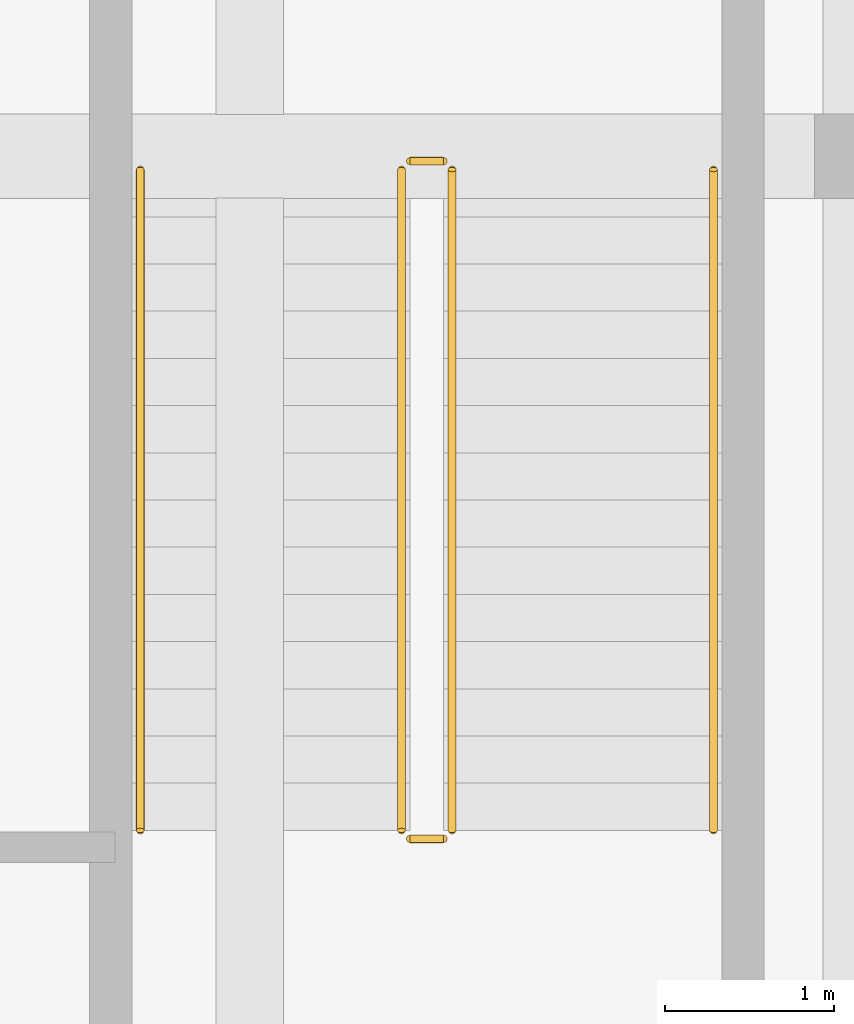
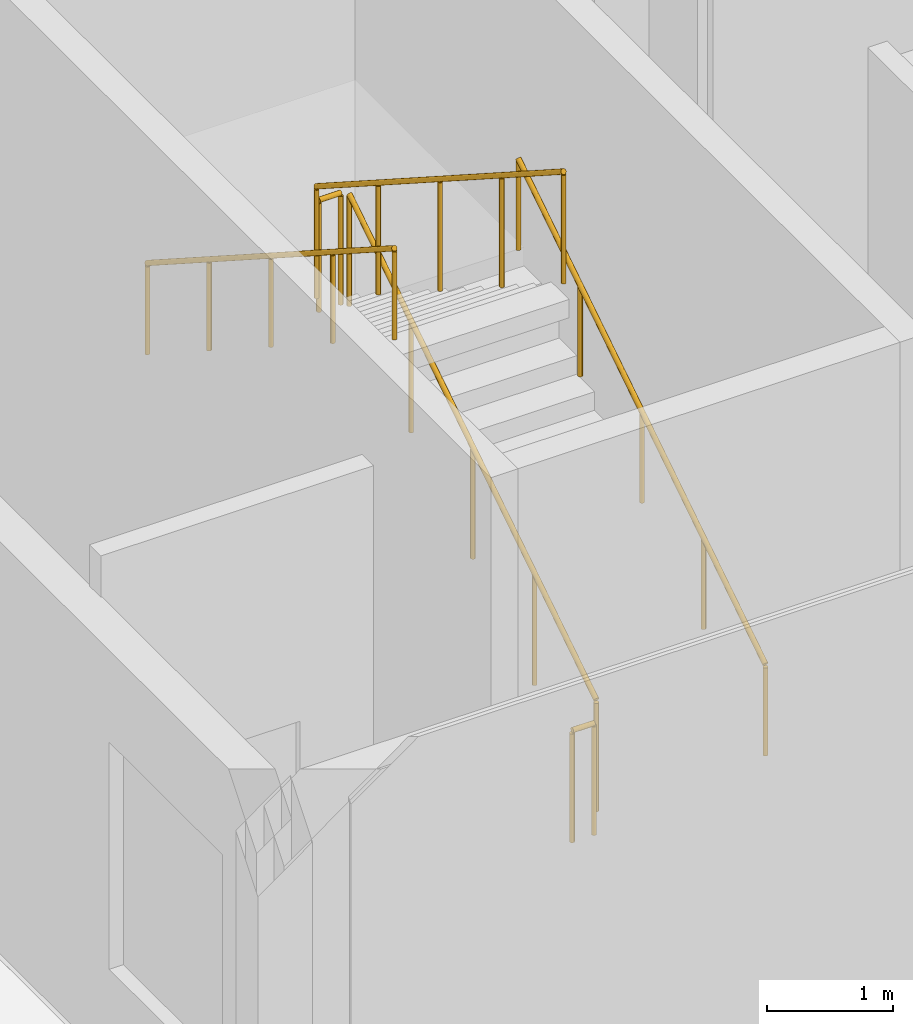
# One storey, part 33 of 41: 6 railings.
"""IFC4 building model written with IfcOpenShell, lengths in metres."""

from ifc_helpers import new_model, si_unit, direction, frame, origin, origin_2d, place, context, subcontext, project, spatial, circle, extrude, material, type_object, element, save


model = new_model("IFC4")

# Units and contexts
model_context = context("Model", 3, precision=1e-05, world=origin(), true_north=direction((0.0, 1.0)))
body_context = subcontext(model_context, "Body", "Model", "MODEL_VIEW")
ifc_project = project(units=[si_unit("LENGTHUNIT", "METRE"), si_unit("AREAUNIT", "SQUARE_METRE"), si_unit("VOLUMEUNIT", "CUBIC_METRE"), si_unit("PLANEANGLEUNIT", "RADIAN"), si_unit("MASSUNIT", "GRAM", prefix="KILO")], contexts=[model_context])

# Site, building, storey
site_placement = place(None, origin())
site = spatial("IfcSite", under=ifc_project, at=site_placement, CompositionType="ELEMENT")
building_placement = place(site_placement, origin())
building = spatial("IfcBuilding", under=site, at=building_placement, Name="Kahlenmark Community Centre", CompositionType="ELEMENT")
storey_placement = place(building_placement, origin())
storey = spatial("IfcBuildingStorey", under=building, at=storey_placement, Name="L00", CompositionType="ELEMENT", Elevation=0.0)

# Railings
ifc_material_1 = material(Name="Brushed stainless steel 1.4301 handrail", Category="steel")
railing_type_1 = type_object("IfcRailingType", Name="RLT-HR-900", PredefinedType="HANDRAIL", material=ifc_material_1)
railing_1_placement = place(storey_placement, frame((57.14990234375, 12.0, 0.179931640625)))
element("IfcRailing", 1, at=railing_1_placement, inside=storey, type_object=railing_type_1, Name="L00 ST-03 stair handrail 1", PredefinedType="HANDRAIL", context=body_context, shape_type="SweptSolid", body=[
    extrude(circle(Radius=0.02392578125, at=origin_2d()), frame((0.0, 0.0, 0.8759765625), z_axis=(0.0, 0.841171666519, 0.540768182723), x_axis=(-1.0, 0.0, 0.0)), (0.0, 0.0, 1.0), 4.66015625),
    extrude(circle(Radius=0.02099609375, at=origin_2d()), origin(), (0.0, 0.0, 1.0), 0.851806640625),
    extrude(circle(Radius=0.02099609375, at=origin_2d()), frame((0.0, 0.97998046875, 0.6298828125)), (0.0, 0.0, 1.0), 0.851806640625),
    extrude(circle(Radius=0.02099609375, at=origin_2d()), frame((0.0, 1.9599609375, 1.260009765625)), (0.0, 0.0, 1.0), 0.851806640625),
    extrude(circle(Radius=0.02099609375, at=origin_2d()), frame((0.0, 2.93994140625, 1.89013671875)), (0.0, 0.0, 1.0), 0.851806640625),
    extrude(circle(Radius=0.02099609375, at=origin_2d()), frame((0.0, 3.919921875, 2.52001953125)), (0.0, 0.0, 1.0), 0.851806640625),
])
railing_2_placement = place(storey_placement, frame((53.75, 15.919921875, 2.8798828125)))
element("IfcRailing", 2, at=railing_2_placement, inside=storey, type_object=railing_type_1, Name="L00 ST-03 stair handrail 2", PredefinedType="HANDRAIL", context=body_context, shape_type="SweptSolid", body=[
    extrude(circle(Radius=0.02392578125, at=origin_2d()), frame((0.0, 0.0, 0.8759765625), z_axis=(0.0, -0.841171666519, 0.540768182723), x_axis=(1.0, 0.0, 0.0)), (0.0, 0.0, 1.0), 4.66015625),
    extrude(circle(Radius=0.02099609375, at=origin_2d()), origin(), (0.0, 0.0, 1.0), 0.851806640625),
    extrude(circle(Radius=0.02099609375, at=origin_2d()), frame((0.0, -0.97998046875, 0.6298828125)), (0.0, 0.0, 1.0), 0.851806640625),
    extrude(circle(Radius=0.02099609375, at=origin_2d()), frame((0.0, -1.9599609375, 1.260009765625)), (0.0, 0.0, 1.0), 0.851806640625),
    extrude(circle(Radius=0.02099609375, at=origin_2d()), frame((0.0, -2.93994140625, 1.89013671875)), (0.0, 0.0, 1.0), 0.851806640625),
    extrude(circle(Radius=0.02099609375, at=origin_2d()), frame((0.0, -3.919921875, 2.52001953125)), (0.0, 0.0, 1.0), 0.851806640625),
])
ifc_material_2 = material(Name="Powder-coated steel stair well guard", Category="steel")
railing_type_2 = type_object("IfcRailingType", Name="RLT-SG-1120", PredefinedType="GUARDRAIL", material=ifc_material_2)
railing_3_placement = place(storey_placement, frame((55.60009765625, 12.0, 0.179931640625)))
element("IfcRailing", 3, at=railing_3_placement, inside=storey, type_object=railing_type_2, Name="L00 ST-03 stair guard 1", PredefinedType="GUARDRAIL", context=body_context, shape_type="SweptSolid", body=[
    extrude(circle(Radius=0.02392578125, at=origin_2d()), frame((0.0, 0.0, 1.076171875), z_axis=(0.0, 0.841171666519, 0.540768182723), x_axis=(-1.0, 0.0, 0.0)), (0.0, 0.0, 1.0), 4.66015625),
    extrude(circle(Radius=0.02099609375, at=origin_2d()), origin(), (0.0, 0.0, 1.0), 1.052001953125),
    extrude(circle(Radius=0.02099609375, at=origin_2d()), frame((0.0, 0.97998046875, 0.6298828125)), (0.0, 0.0, 1.0), 1.052001953125),
    extrude(circle(Radius=0.02099609375, at=origin_2d()), frame((0.0, 1.9599609375, 1.260009765625)), (0.0, 0.0, 1.0), 1.052001953125),
    extrude(circle(Radius=0.02099609375, at=origin_2d()), frame((0.0, 2.93994140625, 1.89013671875)), (0.0, 0.0, 1.0), 1.052001953125),
    extrude(circle(Radius=0.02099609375, at=origin_2d()), frame((0.0, 3.919921875, 2.52001953125)), (0.0, 0.0, 1.0), 1.052001953125),
])
railing_4_placement = place(storey_placement, frame((55.550048828125, 15.969970703125, 2.699951171875)))
element("IfcRailing", 4, at=railing_4_placement, inside=storey, type_object=railing_type_2, Name="L00 ST-03 stair guard 2", PredefinedType="GUARDRAIL", context=body_context, shape_type="SweptSolid", body=[
    extrude(circle(Radius=0.02392578125, at=origin_2d()), frame((0.0, 0.0, 1.076171875), z_axis=(-1.0, 0.0, 0.0), x_axis=(0.0, -1.0, 0.0)), (0.0, 0.0, 1.0), 0.199951171875),
    extrude(circle(Radius=0.02099609375, at=origin_2d()), origin(), (0.0, 0.0, 1.0), 1.052001953125),
    extrude(circle(Radius=0.02099609375, at=origin_2d()), frame((-0.199951171875, 0.0, 0.0)), (0.0, 0.0, 1.0), 1.052001953125),
])
railing_5_placement = place(storey_placement, frame((55.300048828125, 15.919921875, 2.8798828125)))
element("IfcRailing", 5, at=railing_5_placement, inside=storey, type_object=railing_type_2, Name="L00 ST-03 stair guard 3", PredefinedType="GUARDRAIL", context=body_context, shape_type="SweptSolid", body=[
    extrude(circle(Radius=0.02392578125, at=origin_2d()), frame((0.0, 0.0, 1.076171875), z_axis=(0.0, -0.841171666519, 0.540768182723), x_axis=(1.0, 0.0, 0.0)), (0.0, 0.0, 1.0), 4.66015625),
    extrude(circle(Radius=0.02099609375, at=origin_2d()), origin(), (0.0, 0.0, 1.0), 1.052001953125),
    extrude(circle(Radius=0.02099609375, at=origin_2d()), frame((0.0, -0.97998046875, 0.6298828125)), (0.0, 0.0, 1.0), 1.052001953125),
    extrude(circle(Radius=0.02099609375, at=origin_2d()), frame((0.0, -1.9599609375, 1.260009765625)), (0.0, 0.0, 1.0), 1.052001953125),
    extrude(circle(Radius=0.02099609375, at=origin_2d()), frame((0.0, -2.93994140625, 1.89013671875)), (0.0, 0.0, 1.0), 1.052001953125),
    extrude(circle(Radius=0.02099609375, at=origin_2d()), frame((0.0, -3.919921875, 2.52001953125)), (0.0, 0.0, 1.0), 1.052001953125),
])
railing_6_placement = place(storey_placement, frame((55.550048828125, 11.949951171875, 0.0)))
element("IfcRailing", 6, at=railing_6_placement, inside=storey, type_object=railing_type_2, Name="L00 ST-03 stair guard 4", PredefinedType="GUARDRAIL", context=body_context, shape_type="SweptSolid", body=[
    extrude(circle(Radius=0.02392578125, at=origin_2d()), frame((0.0, 0.0, 1.076171875), z_axis=(-1.0, 0.0, 0.0), x_axis=(0.0, -1.0, 0.0)), (0.0, 0.0, 1.0), 0.199951171875),
    extrude(circle(Radius=0.02099609375, at=origin_2d()), origin(), (0.0, 0.0, 1.0), 1.052001953125),
    extrude(circle(Radius=0.02099609375, at=origin_2d()), frame((-0.199951171875, 0.0, 0.0)), (0.0, 0.0, 1.0), 1.052001953125),
])

save(model, "model.ifc")
